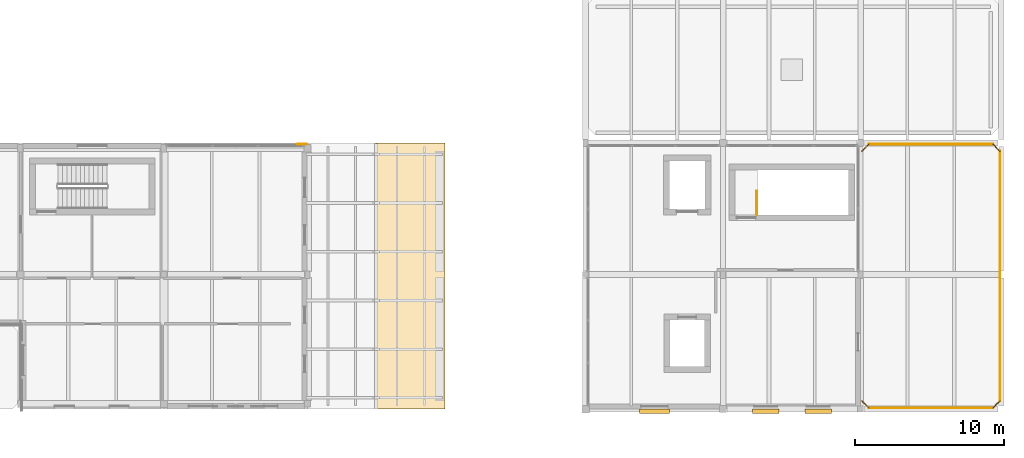
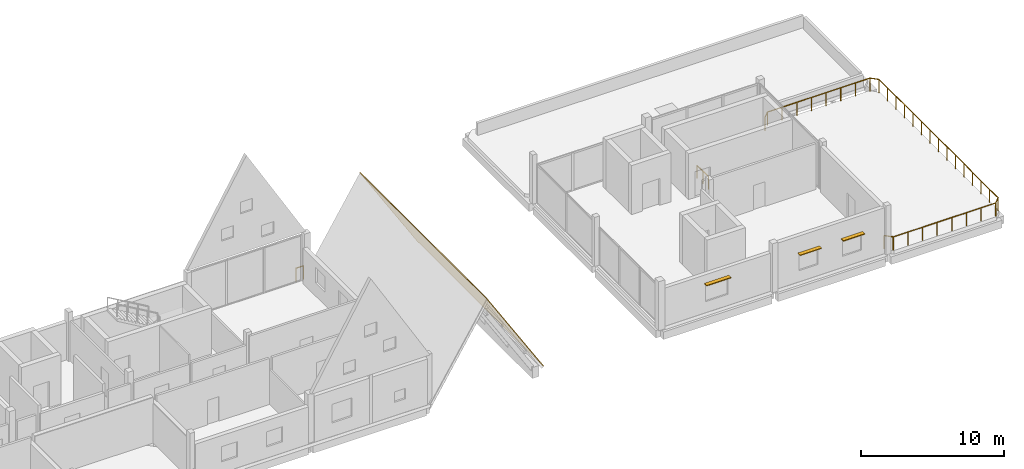
# One storey, part 22 of 23: 9 railings, 3 shading devices, 1 covering.
"""IFC4 building model written with IfcOpenShell, lengths in metres."""

import ifcopenshell
import ifcopenshell.guid

model = None  # the IFC model being written
_history = None  # IfcOwnerHistory: only IFC2X3 demands one
_inside = {}  # id of a spatial element -> (the spatial element, [elements in it])
_under = {}  # id of a project, library or spatial element -> (it, [spatial elements below it])
_declared = {}  # id of a project -> (the project, [libraries it declares])
_typed = {}  # id of a type object -> (the type object, [elements of that type])
_made_of = {}  # id of a material, layer set ... -> (it, [elements and type objects made of it])


def new_model(schema):
    """Start an empty IFC model of exactly this schema.

    Asked for "IFC4X3", IfcOpenShell would pick the latest addendum, in which some entities
    have other attributes; the version numbers below select the first issue.
    IFC2X3 requires an IfcOwnerHistory on every rooted entity: one is made here for all.
    """
    global model, _history
    if schema == "IFC4X3":
        model = ifcopenshell.file(schema_version=(4, 3, 0, 0))
    else:
        model = ifcopenshell.file(schema=schema)
    _inside.clear()
    _under.clear()
    _declared.clear()
    _typed.clear()
    _made_of.clear()
    _history = None
    if model.schema == "IFC2X3":
        org = make("IfcOrganization", Name="unknown")
        user = make(
            "IfcPersonAndOrganization",
            ThePerson=make("IfcPerson", FamilyName="unknown"),
            TheOrganization=org,
        )
        app = make(
            "IfcApplication",
            ApplicationDeveloper=org,
            Version="unknown",
            ApplicationFullName="unknown",
            ApplicationIdentifier="unknown",
        )
        _history = make(
            "IfcOwnerHistory",
            OwningUser=user,
            OwningApplication=app,
            ChangeAction="ADDED",
            CreationDate=0,
        )
    return model


def make(cls, **values):
    """One entity of the class cls with the attributes given. An attribute that is None is left unset."""
    return model.create_entity(
        cls, **{name: value for name, value in values.items() if value is not None}
    )


def rooted(cls, **values):
    """An entity with a GlobalId (a new one), such as an element, a storey or a relation."""
    return make(cls, GlobalId=ifcopenshell.guid.new(), OwnerHistory=_history, **values)


def si_unit(unit_type, name, prefix=None):
    """IfcSIUnit, for example si_unit("LENGTHUNIT", "METRE", prefix="MILLI")."""
    return make("IfcSIUnit", UnitType=unit_type, Prefix=prefix, Name=name)


def assignment(units):
    """IfcUnitAssignment: the units of a project."""
    return None if units is None else make("IfcUnitAssignment", Units=units)


def point(xyz):
    """IfcCartesianPoint."""
    return None if xyz is None else make("IfcCartesianPoint", Coordinates=xyz)


def direction(xyz):
    """IfcDirection."""
    return None if xyz is None else make("IfcDirection", DirectionRatios=xyz)


def frame(location, z_axis=None, x_axis=None):
    """IfcAxis2Placement3D, a coordinate frame: its origin and axes. An axis left out is left unset."""
    return make(
        "IfcAxis2Placement3D",
        Location=point(location),
        Axis=direction(z_axis),
        RefDirection=direction(x_axis),
    )


def frame_2d(location, x_axis=None):
    """IfcAxis2Placement2D, a coordinate frame in the plane: its origin and x axis."""
    return make(
        "IfcAxis2Placement2D", Location=point(location), RefDirection=direction(x_axis)
    )


def origin():
    """The frame at (0, 0, 0) with its axes left unset."""
    return frame((0.0, 0.0, 0.0))


def origin_2d():
    """The frame at (0, 0) in the plane with its x axis left unset."""
    return frame_2d((0.0, 0.0))


def place(relative_to, where):
    """IfcLocalPlacement: puts the frame where relative to a parent placement (None: the world)."""
    return make(
        "IfcLocalPlacement", PlacementRelTo=relative_to, RelativePlacement=where
    )


def context(
    kind, dimensions, precision=None, world=None, true_north=None, identifier=None
):
    """IfcGeometricRepresentationContext, for example the 3D "Model" context."""
    return make(
        "IfcGeometricRepresentationContext",
        ContextIdentifier=identifier,
        ContextType=kind,
        CoordinateSpaceDimension=dimensions,
        Precision=precision,
        WorldCoordinateSystem=world,
        TrueNorth=true_north,
    )


def subcontext(parent, identifier, kind, view, scale=None):
    """IfcGeometricRepresentationSubContext, for example "Body" below "Model"."""
    return make(
        "IfcGeometricRepresentationSubContext",
        ContextIdentifier=identifier,
        ContextType=kind,
        ParentContext=parent,
        TargetScale=scale,
        TargetView=view,
    )


def project(units=None, contexts=None):
    """IfcProject with its units and contexts."""
    return rooted(
        "IfcProject",
        Name="project",
        RepresentationContexts=contexts,
        UnitsInContext=assignment(units),
    )


def spatial(cls, under=None, at=None, **own):
    """A site, building, storey or space (cls), placed at a placement, below another one or the project."""
    s = rooted(cls, ObjectPlacement=at, **own)
    if under is not None:
        _under.setdefault(under.id(), (under, []))[1].append(s)
    return s


def polyline(points):
    """IfcPolyline through the points."""
    return make("IfcPolyline", Points=[point(p) for p in points])


def profile(cls, at=None, kind="AREA", **sizes):
    """A parametric profile (cls). Its sizes go by their IFC names, for example OverallWidth=200.0."""
    return make(cls, ProfileType=kind, Position=at, **sizes)


def rectangle(**sizes):
    """IfcRectangleProfileDef."""
    return profile("IfcRectangleProfileDef", **sizes)


def circle(**sizes):
    """IfcCircleProfileDef."""
    return profile("IfcCircleProfileDef", **sizes)


def outline(outer, holes=None, kind="AREA"):
    """IfcArbitraryClosedProfileDef: a profile drawn as a closed curve; with holes, ...WithVoids."""
    if holes is None:
        return make("IfcArbitraryClosedProfileDef", ProfileType=kind, OuterCurve=outer)
    return make(
        "IfcArbitraryProfileDefWithVoids",
        ProfileType=kind,
        OuterCurve=outer,
        InnerCurves=holes,
    )


def extrude(swept, where, along, depth):
    """IfcExtrudedAreaSolid: the profile swept, set in the frame where, extruded along a direction by depth."""
    return make(
        "IfcExtrudedAreaSolid",
        SweptArea=swept,
        Position=where,
        ExtrudedDirection=direction(along),
        Depth=depth,
    )


def shape(context_of_items, identifier, shape_type, items):
    """IfcShapeRepresentation: the items that make up one representation, for example the "Body"."""
    return make(
        "IfcShapeRepresentation",
        ContextOfItems=context_of_items,
        RepresentationIdentifier=identifier,
        RepresentationType=shape_type,
        Items=items,
    )


def material(Name=None, Category=None):
    """IfcMaterial."""
    return make("IfcMaterial", Name=Name, Category=Category)


def layer(
    of_material, thickness, ventilated=None, Name=None, Category=None, Priority=None
):
    """IfcMaterialLayer: one layer of a wall or slab, of a material (None: an air gap)."""
    return make(
        "IfcMaterialLayer",
        Material=of_material,
        LayerThickness=thickness,
        IsVentilated=ventilated,
        Name=Name,
        Category=Category,
        Priority=Priority,
    )


def layer_set(layers, Name=None):
    """IfcMaterialLayerSet."""
    return make("IfcMaterialLayerSet", MaterialLayers=layers, LayerSetName=Name)


def made_of(thing, what):
    """Note that an element or type object is made of a material, layer set ...; save() writes the relation."""
    if what is not None:
        _made_of.setdefault(what.id(), (what, []))[1].append(thing)
    return thing


def type_object(cls, material=None, **own):
    """A type object (cls), such as IfcWallType, which elements share."""
    return made_of(rooted(cls, **own), material)


def element(
    cls,
    number,
    at=None,
    inside=None,
    cuts=None,
    type_object=None,
    material=None,
    context=None,
    identifier="Body",
    shape_type=None,
    held_by="IfcProductDefinitionShape",
    body=None,
    shapes=None,
    **own,
):
    """One element of the class cls, such as IfcWall. Its Tag is "e" and its number.

    at: its placement. inside: the storey or other place that contains it. cuts: it is an
    opening in that element (IfcRelVoidsElement). A single representation is given by context,
    identifier, shape_type and body (its items); several are given by shapes. held_by: the class
    of the entity that holds the representations. save() writes the other relations.
    """
    e = rooted(cls, Tag="e%d" % number, ObjectPlacement=at, **own)
    if body is not None:
        shapes = [shape(context, identifier, shape_type, body)]
    if shapes is not None:
        e.Representation = make(held_by, Representations=shapes)
    if inside is not None:
        _inside.setdefault(inside.id(), (inside, []))[1].append(e)
    if cuts is not None:
        rooted(
            "IfcRelVoidsElement", RelatingBuildingElement=cuts, RelatedOpeningElement=e
        )
    if type_object is not None:
        _typed.setdefault(type_object.id(), (type_object, []))[1].append(e)
    return made_of(e, material)


def aggregate(whole, parts):
    """IfcRelAggregates: a whole, such as a stair, and the parts it consists of."""
    return rooted("IfcRelAggregates", RelatingObject=whole, RelatedObjects=parts)


def save(model, path):
    """Write the relations noted so far, then the file.

    IfcRelAggregates (storeys below a building ...), IfcRelContainedInSpatialStructure (elements
    in a storey), IfcRelDefinesByType, IfcRelAssociatesMaterial and IfcRelDeclares: one each for
    every whole, place, type object, material and project.
    """
    for whole, parts in _under.values():
        aggregate(whole, parts)
    for where, things in _inside.values():
        rooted(
            "IfcRelContainedInSpatialStructure",
            RelatedElements=things,
            RelatingStructure=where,
        )
    for kind, things in _typed.values():
        rooted("IfcRelDefinesByType", RelatedObjects=things, RelatingType=kind)
    for what, things in _made_of.values():
        rooted("IfcRelAssociatesMaterial", RelatedObjects=things, RelatingMaterial=what)
    for by, libraries in _declared.values():
        rooted("IfcRelDeclares", RelatingContext=by, RelatedDefinitions=libraries)
    model.write(path)


model = new_model("IFC4")

# Units and contexts
model_context = context("Model", 3, precision=1e-05, world=origin(), true_north=direction((0.0, 1.0)))
body_context = subcontext(model_context, "Body", "Model", "MODEL_VIEW")
ifc_project = project(units=[si_unit("LENGTHUNIT", "METRE"), si_unit("AREAUNIT", "SQUARE_METRE"), si_unit("VOLUMEUNIT", "CUBIC_METRE"), si_unit("PLANEANGLEUNIT", "RADIAN"), si_unit("MASSUNIT", "GRAM", prefix="KILO")], contexts=[model_context])

# Site, building, storey
site_placement = place(None, origin())
site = spatial("IfcSite", under=ifc_project, at=site_placement, CompositionType="ELEMENT")
building_placement = place(site_placement, origin())
building = spatial("IfcBuilding", under=site, at=building_placement, Name="Birchvale Park Specialist Clinic", CompositionType="ELEMENT")
storey_placement = place(building_placement, frame((0.0, 0.0, 18.0)))
storey = spatial("IfcBuildingStorey", under=building, at=storey_placement, Name="L04", CompositionType="ELEMENT", Elevation=18.0)

# Covering
ifc_material_1 = material(Name="Standing-seam titanium-zinc roofing")
ifc_layer = layer(ifc_material_1, 0.06005859375)
ifc_layer_set = layer_set([ifc_layer], Name="Standing-seam titanium-zinc roofing")
covering_type = type_object("IfcCoveringType", Name="COV-RF1", PredefinedType="ROOFING", material=ifc_layer_set)
covering_placement = place(storey_placement, frame((114.0, 16.800048828125, 7.4599609375), z_axis=(0.849277176149, 0.0, 0.527947230386), x_axis=(0.527947230386, 0.0, -0.849277176149)))
element("IfcCovering", 1, at=covering_placement, inside=storey, type_object=covering_type, Name="L04 standing-seam zinc roof V4-B7 E", PredefinedType="ROOFING", context=body_context, shape_type="SweptSolid", body=[
    extrude(outline(polyline([(0.0, 0.0), (8.71317698340126, 0.0), (8.71317698340126, 17.800048828125), (0.0, 17.800048828125), (0.0, 0.0)])), origin(), (0.0, 0.0, -1.0), 0.06005859375),
])

# Railings
ifc_material_2 = material(Name="Brushed stainless steel and laminated glass balustrade", Category="steel")
railing_type_1 = type_object("IfcRailingType", Name="RL-BAL2", PredefinedType="BALUSTRADE", material=ifc_material_2)
railing_1_placement = place(storey_placement, frame((146.949951171875, 16.8798828125, 0.0)))
element("IfcRailing", 2, at=railing_1_placement, inside=storey, type_object=railing_type_1, Name="V5 L04 roof terrace guard balustrade 45", PredefinedType="BALUSTRADE", context=body_context, shape_type="SweptSolid", body=[
    extrude(circle(Radius=0.02392578125, at=origin_2d()), frame((0.0, 0.0, 1.1259765625), z_axis=(1.0, 0.0, 0.0), x_axis=(0.0, 1.0, 0.0)), (0.0, 0.0, 1.0), 8.300048828125),
    extrude(circle(Radius=0.02099609375, at=origin_2d()), origin(), (0.0, 0.0, 1.0), 1.101806640625),
    extrude(circle(Radius=0.02099609375, at=origin_2d()), frame((1.185791015625, 0.0, 0.0)), (0.0, 0.0, 1.0), 1.101806640625),
    extrude(circle(Radius=0.02099609375, at=origin_2d()), frame((2.371337890625, 0.0, 0.0)), (0.0, 0.0, 1.0), 1.101806640625),
    extrude(circle(Radius=0.02099609375, at=origin_2d()), frame((3.55712890625, 0.0, 0.0)), (0.0, 0.0, 1.0), 1.101806640625),
    extrude(circle(Radius=0.02099609375, at=origin_2d()), frame((4.742919921875, 0.0, 0.0)), (0.0, 0.0, 1.0), 1.101806640625),
    extrude(circle(Radius=0.02099609375, at=origin_2d()), frame((5.9287109375, 0.0, 0.0)), (0.0, 0.0, 1.0), 1.101806640625),
    extrude(circle(Radius=0.02099609375, at=origin_2d()), frame((7.1142578125, 0.0, 0.0)), (0.0, 0.0, 1.0), 1.101806640625),
    extrude(circle(Radius=0.02099609375, at=origin_2d()), frame((8.300048828125, 0.0, 0.0)), (0.0, 0.0, 1.0), 1.101806640625),
])
railing_2_placement = place(storey_placement, frame((155.25, 16.8798828125, 0.0)))
element("IfcRailing", 3, at=railing_2_placement, inside=storey, type_object=railing_type_1, Name="V5 L04 roof terrace guard balustrade 46", PredefinedType="BALUSTRADE", context=body_context, shape_type="SweptSolid", body=[
    extrude(circle(Radius=0.02392578125, at=origin_2d()), frame((0.0, 0.0, 1.1259765625), z_axis=(0.706923140946, 0.707290373747, 0.0), x_axis=(-0.707290373747, 0.706923140946, 0.0)), (0.0, 0.0, 1.0), 0.664794921875),
    extrude(circle(Radius=0.02099609375, at=origin_2d()), origin(), (0.0, 0.0, 1.0), 1.101806640625),
    extrude(circle(Radius=0.02099609375, at=origin_2d()), frame((0.469970703125, 0.47021484375, 0.0)), (0.0, 0.0, 1.0), 1.101806640625),
])
railing_3_placement = place(storey_placement, frame((155.719970703125, 17.35009765625, 0.0)))
element("IfcRailing", 4, at=railing_3_placement, inside=storey, type_object=railing_type_1, Name="V5 L04 roof terrace guard balustrade 47", PredefinedType="BALUSTRADE", context=body_context, shape_type="SweptSolid", body=[
    extrude(circle(Radius=0.02392578125, at=origin_2d()), frame((0.0, 0.0, 1.1259765625), z_axis=(0.0, 1.0, 0.0), x_axis=(-1.0, 0.0, 0.0)), (0.0, 0.0, 1.0), 16.699951171875),
    extrude(circle(Radius=0.02099609375, at=origin_2d()), origin(), (0.0, 0.0, 1.0), 1.101806640625),
    extrude(circle(Radius=0.02099609375, at=origin_2d()), frame((0.0, 1.19287109375, 0.0)), (0.0, 0.0, 1.0), 1.101806640625),
    extrude(circle(Radius=0.02099609375, at=origin_2d()), frame((0.0, 2.3857421875, 0.0)), (0.0, 0.0, 1.0), 1.101806640625),
    extrude(circle(Radius=0.02099609375, at=origin_2d()), frame((0.0, 3.57861328125, 0.0)), (0.0, 0.0, 1.0), 1.101806640625),
    extrude(circle(Radius=0.02099609375, at=origin_2d()), frame((0.0, 4.771484375, 0.0)), (0.0, 0.0, 1.0), 1.101806640625),
    extrude(circle(Radius=0.02099609375, at=origin_2d()), frame((0.0, 5.96435546875, 0.0)), (0.0, 0.0, 1.0), 1.101806640625),
    extrude(circle(Radius=0.02099609375, at=origin_2d()), frame((0.0, 7.1572265625, 0.0)), (0.0, 0.0, 1.0), 1.101806640625),
    extrude(circle(Radius=0.02099609375, at=origin_2d()), frame((0.0, 8.35009765625, 0.0)), (0.0, 0.0, 1.0), 1.101806640625),
    extrude(circle(Radius=0.02099609375, at=origin_2d()), frame((0.0, 9.542724609375, 0.0)), (0.0, 0.0, 1.0), 1.101806640625),
    extrude(circle(Radius=0.02099609375, at=origin_2d()), frame((0.0, 10.735595703125, 0.0)), (0.0, 0.0, 1.0), 1.101806640625),
    extrude(circle(Radius=0.02099609375, at=origin_2d()), frame((0.0, 11.928466796875, 0.0)), (0.0, 0.0, 1.0), 1.101806640625),
    extrude(circle(Radius=0.02099609375, at=origin_2d()), frame((0.0, 13.121337890625, 0.0)), (0.0, 0.0, 1.0), 1.101806640625),
    extrude(circle(Radius=0.02099609375, at=origin_2d()), frame((0.0, 14.314208984375, 0.0)), (0.0, 0.0, 1.0), 1.101806640625),
    extrude(circle(Radius=0.02099609375, at=origin_2d()), frame((0.0, 15.507080078125, 0.0)), (0.0, 0.0, 1.0), 1.101806640625),
    extrude(circle(Radius=0.02099609375, at=origin_2d()), frame((0.0, 16.699951171875, 0.0)), (0.0, 0.0, 1.0), 1.101806640625),
])
railing_4_placement = place(storey_placement, frame((155.719970703125, 34.050048828125, 0.0)))
element("IfcRailing", 5, at=railing_4_placement, inside=storey, type_object=railing_type_1, Name="V5 L04 roof terrace guard balustrade 48", PredefinedType="BALUSTRADE", context=body_context, shape_type="SweptSolid", body=[
    extrude(circle(Radius=0.02392578125, at=origin_2d()), frame((0.0, 0.0, 1.1259765625), z_axis=(-0.707106781187, 0.707106781187, 0.0), x_axis=(-0.707106781187, -0.707106781187, 0.0)), (0.0, 0.0, 1.0), 0.66455078125),
    extrude(circle(Radius=0.02099609375, at=origin_2d()), origin(), (0.0, 0.0, 1.0), 1.101806640625),
    extrude(circle(Radius=0.02099609375, at=origin_2d()), frame((-0.469970703125, 0.469970703125, 0.0)), (0.0, 0.0, 1.0), 1.101806640625),
])
railing_5_placement = place(storey_placement, frame((155.25, 34.52001953125, 0.0)))
element("IfcRailing", 6, at=railing_5_placement, inside=storey, type_object=railing_type_1, Name="V5 L04 roof terrace guard balustrade 49", PredefinedType="BALUSTRADE", context=body_context, shape_type="SweptSolid", body=[
    extrude(circle(Radius=0.02392578125, at=origin_2d()), frame((0.0, 0.0, 1.1259765625), z_axis=(-1.0, 0.0, 0.0), x_axis=(0.0, -1.0, 0.0)), (0.0, 0.0, 1.0), 8.300048828125),
    extrude(circle(Radius=0.02099609375, at=origin_2d()), origin(), (0.0, 0.0, 1.0), 1.101806640625),
    extrude(circle(Radius=0.02099609375, at=origin_2d()), frame((-1.185791015625, 0.0, 0.0)), (0.0, 0.0, 1.0), 1.101806640625),
    extrude(circle(Radius=0.02099609375, at=origin_2d()), frame((-2.371337890625, 0.0, 0.0)), (0.0, 0.0, 1.0), 1.101806640625),
    extrude(circle(Radius=0.02099609375, at=origin_2d()), frame((-3.55712890625, 0.0, 0.0)), (0.0, 0.0, 1.0), 1.101806640625),
    extrude(circle(Radius=0.02099609375, at=origin_2d()), frame((-4.742919921875, 0.0, 0.0)), (0.0, 0.0, 1.0), 1.101806640625),
    extrude(circle(Radius=0.02099609375, at=origin_2d()), frame((-5.9287109375, 0.0, 0.0)), (0.0, 0.0, 1.0), 1.101806640625),
    extrude(circle(Radius=0.02099609375, at=origin_2d()), frame((-7.1142578125, 0.0, 0.0)), (0.0, 0.0, 1.0), 1.101806640625),
    extrude(circle(Radius=0.02099609375, at=origin_2d()), frame((-8.300048828125, 0.0, 0.0)), (0.0, 0.0, 1.0), 1.101806640625),
])
railing_6_placement = place(storey_placement, frame((146.949951171875, 34.52001953125, 0.0)))
element("IfcRailing", 7, at=railing_6_placement, inside=storey, type_object=railing_type_1, Name="V5 L04 roof terrace guard balustrade 50", PredefinedType="BALUSTRADE", context=body_context, shape_type="SweptSolid", body=[
    extrude(circle(Radius=0.02392578125, at=origin_2d()), frame((0.0, 0.0, 1.1259765625), z_axis=(-0.707106781187, -0.707106781187, 0.0), x_axis=(0.707106781187, -0.707106781187, 0.0)), (0.0, 0.0, 1.0), 0.66455078125),
    extrude(circle(Radius=0.02099609375, at=origin_2d()), origin(), (0.0, 0.0, 1.0), 1.101806640625),
    extrude(circle(Radius=0.02099609375, at=origin_2d()), frame((-0.469970703125, -0.469970703125, 0.0)), (0.0, 0.0, 1.0), 1.101806640625),
])
railing_7_placement = place(storey_placement, frame((146.47998046875, 17.35009765625, 0.0)))
element("IfcRailing", 8, at=railing_7_placement, inside=storey, type_object=railing_type_1, Name="V5 L04 roof terrace guard balustrade 51", PredefinedType="BALUSTRADE", context=body_context, shape_type="SweptSolid", body=[
    extrude(circle(Radius=0.02392578125, at=origin_2d()), frame((0.0, 0.0, 1.1259765625), z_axis=(0.706923140946, -0.707290373747, 0.0), x_axis=(0.707290373747, 0.706923140946, 0.0)), (0.0, 0.0, 1.0), 0.664794921875),
    extrude(circle(Radius=0.02099609375, at=origin_2d()), origin(), (0.0, 0.0, 1.0), 1.101806640625),
    extrude(circle(Radius=0.02099609375, at=origin_2d()), frame((0.469970703125, -0.47021484375, 0.0)), (0.0, 0.0, 1.0), 1.101806640625),
])
railing_8_placement = place(storey_placement, frame((108.75, 34.52001953125, 0.0)))
element("IfcRailing", 9, at=railing_8_placement, inside=storey, type_object=railing_type_1, Name="V4 L04 corner edge guard NE", PredefinedType="BALUSTRADE", context=body_context, shape_type="SweptSolid", body=[
    extrude(circle(Radius=0.02392578125, at=origin_2d()), frame((0.0, 0.0, 1.1259765625), z_axis=(1.0, 0.0, 0.0), x_axis=(0.0, 1.0, 0.0)), (0.0, 0.0, 1.0), 0.60009765625),
    extrude(circle(Radius=0.02099609375, at=origin_2d()), origin(), (0.0, 0.0, 1.0), 1.101806640625),
    extrude(circle(Radius=0.02099609375, at=origin_2d()), frame((0.60009765625, 0.0, 0.0)), (0.0, 0.0, 1.0), 1.101806640625),
])
ifc_material_3 = material(Name="Brushed stainless steel guard railing", Category="steel")
railing_type_2 = type_object("IfcRailingType", Name="RL-GRD1", PredefinedType="GUARDRAIL", material=ifc_material_3)
railing_9_placement = place(storey_placement, frame((139.449951171875, 29.800048828125, 0.0)))
element("IfcRailing", 10, at=railing_9_placement, inside=storey, type_object=railing_type_2, Name="L04 ST6 top well guard 1", PredefinedType="GUARDRAIL", context=body_context, shape_type="SweptSolid", body=[
    extrude(circle(Radius=0.02392578125, at=origin_2d()), frame((0.0, 0.0, 1.076171875), z_axis=(0.0, 1.0, 0.0), x_axis=(-1.0, 0.0, 0.0)), (0.0, 0.0, 1.0), 1.599853515625),
    extrude(circle(Radius=0.02099609375, at=origin_2d()), origin(), (0.0, 0.0, 1.0), 1.052001953125),
    extrude(circle(Radius=0.02099609375, at=origin_2d()), frame((0.0, 0.7998046875, 0.0)), (0.0, 0.0, 1.0), 1.052001953125),
    extrude(circle(Radius=0.02099609375, at=origin_2d()), frame((0.0, 1.599853515625, 0.0)), (0.0, 0.0, 1.0), 1.052001953125),
])

# Shading devices
ifc_material_4 = material(Name="Nordic larch solar louvre")
shading_device_type = type_object("IfcShadingDeviceType", Name="SHD-LVR1", PredefinedType="JALOUSIE", material=ifc_material_4)
shading_device_placement = place(storey_placement, frame((132.612548828125, 16.659912109375, 2.49755859375), z_axis=(0.0, 0.0, 1.0), x_axis=(1.0, 0.0, 0.0)))
element("IfcShadingDevice", 11, at=shading_device_placement, inside=storey, type_object=shading_device_type, Name="V5 L04 timber sun louvre 57", PredefinedType="JALOUSIE", context=body_context, shape_type="SweptSolid", body=[
    extrude(rectangle(XDim=2.0, YDim=0.320068359375, at=origin_2d()), origin(), (0.0, 0.0, 1.0), 0.06494140625),
])
for number, where, z_axis, x_axis, name in (
    (12, (140.055419921875, 16.659912109375, 2.447509765625), (0.0, 0.0, 1.0), (1.0, 0.0, 0.0), "V5 L04 timber sun louvre 58"),
    (13, (143.569580078125, 16.659912109375, 2.447509765625), (0.0, 0.0, 1.0), (1.0, 0.0, 0.0), "V5 L04 timber sun louvre 59"),
):
    element("IfcShadingDevice", number, at=place(storey_placement, frame(where, z_axis=z_axis, x_axis=x_axis)), inside=storey, type_object=shading_device_type, Name=name, PredefinedType="JALOUSIE", context=body_context, shape_type="SweptSolid", body=[
        extrude(rectangle(XDim=1.75, YDim=0.320068359375, at=origin_2d()), origin(), (0.0, 0.0, 1.0), 0.06494140625),
    ])

save(model, "model.ifc")
